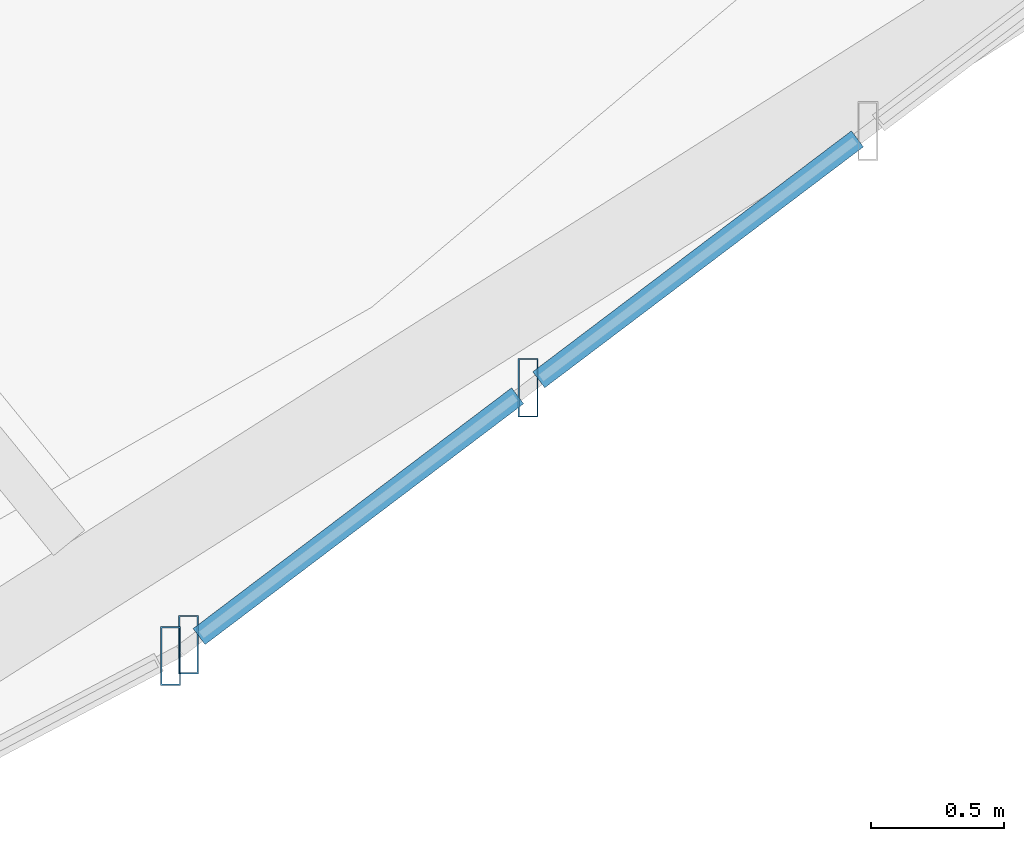
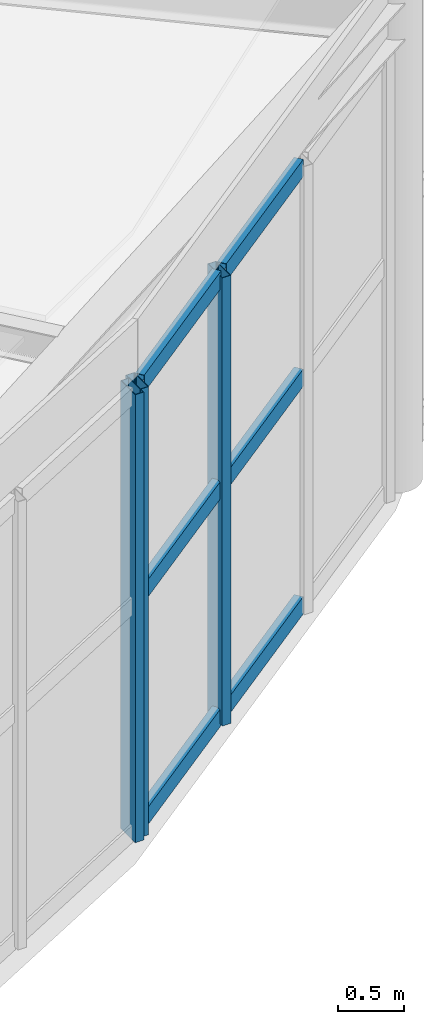
# One storey, part 41 of 108: 9 members, 2 elements without a shape of their own.
"""IFC4 building model written with IfcOpenShell, lengths in metres."""

from ifc_helpers import new_model, si_unit, direction, frame, origin, origin_2d, place, context, subcontext, project, spatial, hollow_rectangle, extrude, material, material_profile, profile_set, type_object, element, aggregate, save


model = new_model("IFC4")

# Units and contexts
model_context = context("Model", 3, precision=1e-05, world=origin(), true_north=direction((0.0, 1.0)))
body_context = subcontext(model_context, "Body", "Model", "MODEL_VIEW")
ifc_project = project(units=[si_unit("LENGTHUNIT", "METRE"), si_unit("AREAUNIT", "SQUARE_METRE"), si_unit("VOLUMEUNIT", "CUBIC_METRE"), si_unit("PLANEANGLEUNIT", "RADIAN"), si_unit("MASSUNIT", "GRAM", prefix="KILO")], contexts=[model_context])

# Site, building, storey
site_placement = place(None, origin())
site = spatial("IfcSite", under=ifc_project, at=site_placement, CompositionType="ELEMENT")
building_placement = place(site_placement, origin())
building = spatial("IfcBuilding", under=site, at=building_placement, Name="Tarnveldt Headland Concert Hall", CompositionType="ELEMENT")
storey_placement = place(building_placement, origin())
storey = spatial("IfcBuildingStorey", under=building, at=storey_placement, Name="L00", CompositionType="ELEMENT", Elevation=0.0)

# Curtain wall, member
ifc_material = material(Name="Marine-anodised aluminium EN AW-6063-T6", Category="aluminium")
curtain_wall_type = type_object("IfcCurtainWallType", Name="CW-F1", PredefinedType="NOTDEFINED", material=ifc_material)
curtain_wall_1_placement = place(storey_placement, origin())
curtain_wall_1 = element("IfcCurtainWall", 1, at=curtain_wall_1_placement, inside=storey, type_object=curtain_wall_type, Name="Curtain wall CW-L00-022", PredefinedType="NOTDEFINED")
ifc_material_profile_1 = material_profile(ifc_material, hollow_rectangle(XDim=0.074951171875, YDim=0.219970703125, WallThickness=0.0048828125, at=origin_2d()), Name="ALU MULLION 75x220x5", Category="aluminium")
ifc_profile_set_1 = profile_set([ifc_material_profile_1], Name="Marine-anodised aluminium EN AW-6063-T6")
member_type_1 = type_object("IfcMemberType", Name="ML-200", PredefinedType="MULLION", material=ifc_profile_set_1)
member_1_placement = place(storey_placement, frame((104.548095703125, 35.4833984375, 0.0), z_axis=(0.0, 0.0, 1.0), x_axis=(1.0, 0.0, 0.0)))
member_1 = element("IfcMember", 2, at=member_1_placement, type_object=member_type_1, Name="Mullion CW-L00-022-4", PredefinedType="MULLION", context=body_context, shape_type="SweptSolid", body=[
    extrude(hollow_rectangle(XDim=0.074951171875, YDim=0.219970703125, WallThickness=0.0048828125, at=origin_2d()), origin(), (0.0, 0.0, 1.0), 4.139892578125),
])
aggregate(curtain_wall_1, [member_1])

# Curtain wall, members
curtain_wall_2_placement = place(storey_placement, origin())
curtain_wall_2 = element("IfcCurtainWall", 3, at=curtain_wall_2_placement, inside=storey, type_object=curtain_wall_type, Name="Curtain wall CW-L00-023", PredefinedType="NOTDEFINED")
member_2_placement = place(storey_placement, frame((104.615234375, 35.526123046875, 0.0), z_axis=(0.0, 0.0, 1.0), x_axis=(1.0, 0.0, 0.0)))
member_2 = element("IfcMember", 4, at=member_2_placement, type_object=member_type_1, Name="Mullion CW-L00-023-1", PredefinedType="MULLION", context=body_context, shape_type="SweptSolid", body=[
    extrude(hollow_rectangle(XDim=0.074951171875, YDim=0.219970703125, WallThickness=0.0048828125, at=origin_2d()), origin(), (0.0, 0.0, 1.0), 4.139892578125),
])
member_3_placement = place(storey_placement, frame((105.8876953125, 36.48828125, 0.0), z_axis=(0.0, 0.0, 1.0), x_axis=(1.0, 0.0, 0.0)))
member_3 = element("IfcMember", 5, at=member_3_placement, type_object=member_type_1, Name="Mullion CW-L00-023-2", PredefinedType="MULLION", context=body_context, shape_type="SweptSolid", body=[
    extrude(hollow_rectangle(XDim=0.074951171875, YDim=0.219970703125, WallThickness=0.0048828125, at=origin_2d()), origin(), (0.0, 0.0, 1.0), 4.139892578125),
])
ifc_material_profile_2 = material_profile(ifc_material, hollow_rectangle(XDim=0.074951171875, YDim=0.159912109375, WallThickness=0.00390625, at=origin_2d()), Name="ALU TRANSOM 75x160x4", Category="aluminium")
ifc_profile_set_2 = profile_set([ifc_material_profile_2], Name="Marine-anodised aluminium EN AW-6063-T6")
member_type_2 = type_object("IfcMemberType", Name="TR-160", PredefinedType="MEMBER", material=ifc_profile_set_2)
member_4_placement = place(storey_placement, frame((104.65478515625, 35.55615234375, 0.050048828125), z_axis=(0.797722519103, 0.603024694781, 0.0), x_axis=(-0.603024694781, 0.797722519103, 0.0)))
member_4 = element("IfcMember", 6, at=member_4_placement, type_object=member_type_2, Name="Transom CW-L00-023-1-1", PredefinedType="MEMBER", context=body_context, shape_type="SweptSolid", body=[
    extrude(hollow_rectangle(XDim=0.074951171875, YDim=0.159912109375, WallThickness=0.00390625, at=origin_2d()), origin(), (0.0, 0.0, 1.0), 1.495849609375),
])
member_5_placement = place(storey_placement, frame((104.65478515625, 35.55615234375, 2.15283203125), z_axis=(0.797722519103, 0.603024694781, 0.0), x_axis=(-0.603024694781, 0.797722519103, 0.0)))
member_5 = element("IfcMember", 7, at=member_5_placement, type_object=member_type_2, Name="Transom CW-L00-023-1-2", PredefinedType="MEMBER", context=body_context, shape_type="SweptSolid", body=[
    extrude(hollow_rectangle(XDim=0.074951171875, YDim=0.159912109375, WallThickness=0.00390625, at=origin_2d()), origin(), (0.0, 0.0, 1.0), 1.495849609375),
])
member_6_placement = place(storey_placement, frame((104.65478515625, 35.55615234375, 4.090087890625), z_axis=(0.797722519103, 0.603024694781, 0.0), x_axis=(-0.603024694781, 0.797722519103, 0.0)))
member_6 = element("IfcMember", 8, at=member_6_placement, type_object=member_type_2, Name="Transom CW-L00-023-1-3", PredefinedType="MEMBER", context=body_context, shape_type="SweptSolid", body=[
    extrude(hollow_rectangle(XDim=0.074951171875, YDim=0.159912109375, WallThickness=0.00390625, at=origin_2d()), origin(), (0.0, 0.0, 1.0), 1.495849609375),
])
member_7_placement = place(storey_placement, frame((105.927001953125, 36.51806640625, 0.050048828125), z_axis=(0.797703362138, 0.603050036094, 0.0), x_axis=(-0.603050036094, 0.797703362138, 0.0)))
member_7 = element("IfcMember", 9, at=member_7_placement, type_object=member_type_2, Name="Transom CW-L00-023-2-1", PredefinedType="MEMBER", context=body_context, shape_type="SweptSolid", body=[
    extrude(hollow_rectangle(XDim=0.074951171875, YDim=0.159912109375, WallThickness=0.00390625, at=origin_2d()), origin(), (0.0, 0.0, 1.0), 1.496337890625),
])
member_8_placement = place(storey_placement, frame((105.927001953125, 36.51806640625, 2.15283203125), z_axis=(0.797703362138, 0.603050036094, 0.0), x_axis=(-0.603050036094, 0.797703362138, 0.0)))
member_8 = element("IfcMember", 10, at=member_8_placement, type_object=member_type_2, Name="Transom CW-L00-023-2-2", PredefinedType="MEMBER", context=body_context, shape_type="SweptSolid", body=[
    extrude(hollow_rectangle(XDim=0.074951171875, YDim=0.159912109375, WallThickness=0.00390625, at=origin_2d()), origin(), (0.0, 0.0, 1.0), 1.496337890625),
])
member_9_placement = place(storey_placement, frame((105.927001953125, 36.51806640625, 4.090087890625), z_axis=(0.797703362138, 0.603050036094, 0.0), x_axis=(-0.603050036094, 0.797703362138, 0.0)))
member_9 = element("IfcMember", 11, at=member_9_placement, type_object=member_type_2, Name="Transom CW-L00-023-2-3", PredefinedType="MEMBER", context=body_context, shape_type="SweptSolid", body=[
    extrude(hollow_rectangle(XDim=0.074951171875, YDim=0.159912109375, WallThickness=0.00390625, at=origin_2d()), origin(), (0.0, 0.0, 1.0), 1.496337890625),
])
aggregate(curtain_wall_2, [member_2, member_3, member_4, member_5, member_6, member_7, member_8, member_9])

save(model, "model.ifc")
